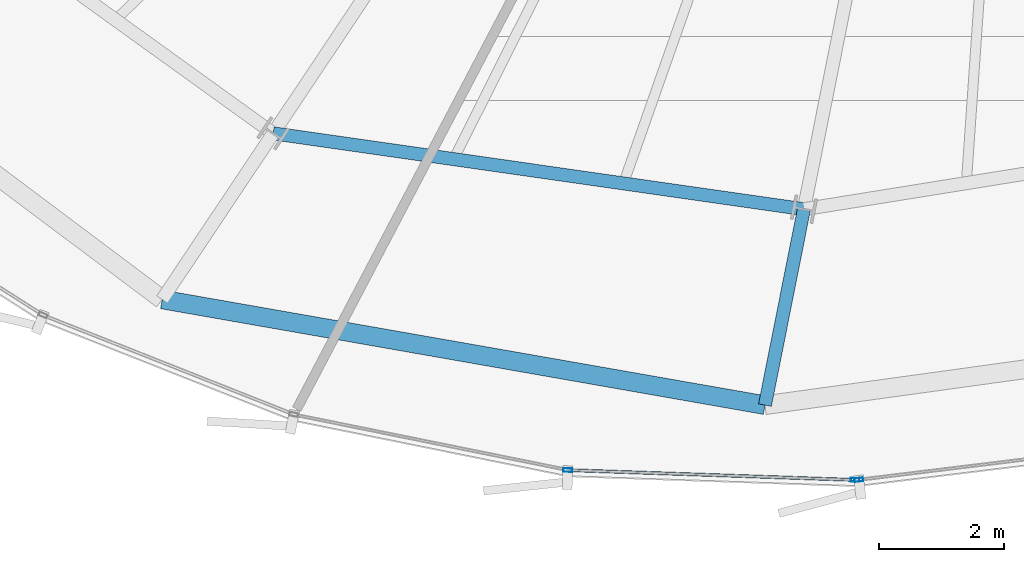
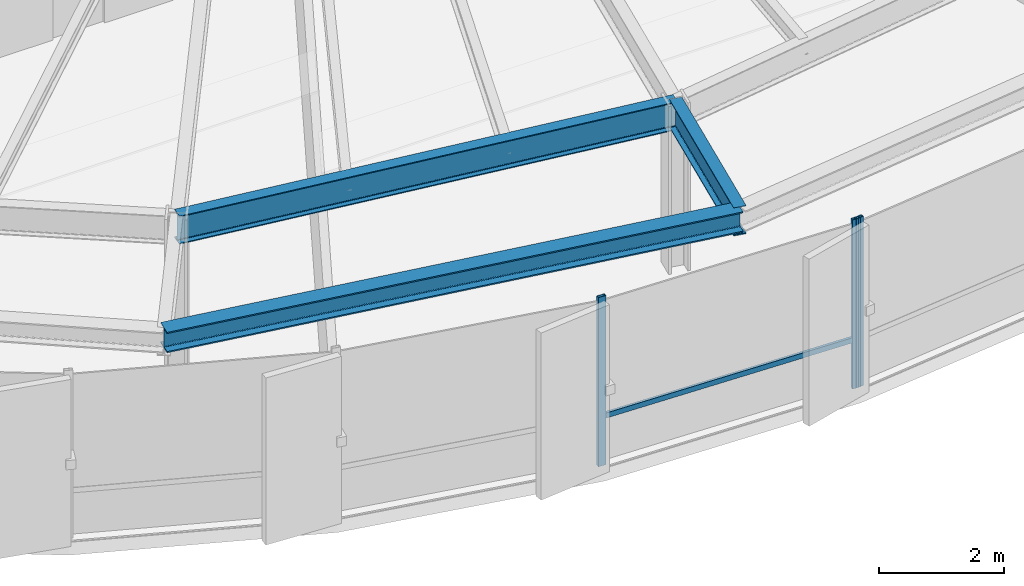
# One storey, part 5 of 35: 4 members, 3 beams, 2 elements without a shape of their own.
"""IFC4 building model written with IfcOpenShell, lengths in metres."""

from ifc_helpers import new_model, si_unit, direction, frame, origin, origin_2d, place, context, subcontext, project, spatial, hollow_rectangle, i_section, extrude, source, transform, mapped, material, layer, layer_set, material_profile, profile_set, type_object, element, aggregate, save


model = new_model("IFC4")

# Units and contexts
model_context = context("Model", 3, precision=1e-05, world=origin(), true_north=direction((0.0, 1.0)))
body_context = subcontext(model_context, "Body", "Model", "MODEL_VIEW")
ifc_project = project(units=[si_unit("LENGTHUNIT", "METRE"), si_unit("AREAUNIT", "SQUARE_METRE"), si_unit("VOLUMEUNIT", "CUBIC_METRE"), si_unit("PLANEANGLEUNIT", "RADIAN"), si_unit("MASSUNIT", "GRAM", prefix="KILO"), si_unit("THERMODYNAMICTEMPERATUREUNIT", "KELVIN")], contexts=[model_context])

# Site, building, storey
site_placement = place(None, origin())
site = spatial("IfcSite", under=ifc_project, at=site_placement, CompositionType="ELEMENT")
building_placement = place(site_placement, origin())
building = spatial("IfcBuilding", under=site, at=building_placement, Name="Kethvar Cultural Tower", CompositionType="ELEMENT")
storey_placement = place(building_placement, frame((0.0, 0.0, 146.550048828125)))
storey = spatial("IfcBuildingStorey", under=building, at=storey_placement, Name="L37", CompositionType="ELEMENT", Elevation=146.550048828125)

# Beams
ifc_material_1 = material(Name="Steel S355J2", Category="steel")
ifc_material_profile_1 = material_profile(ifc_material_1, i_section(OverallWidth=0.2099609375, OverallDepth=0.550048828125, WebThickness=0.010986328125, FlangeThickness=0.01708984375, FilletRadius=0.02392578125, at=origin_2d()), Name="Steel S355J2 — IPE550")
ifc_profile_set_1 = profile_set([ifc_material_profile_1], Name="Steel S355J2 — IPE550")
beam_type_1 = type_object("IfcBeamType", Name="BM-IPE550", PredefinedType="BEAM", material=ifc_profile_set_1)
shared_shape_1 = source(origin(), body_context, "Body", "SweptSolid", [
    extrude(i_section(OverallWidth=0.2099609375, OverallDepth=0.550048828125, WebThickness=0.010986328125, FlangeThickness=0.01708984375, FilletRadius=0.02392578125, at=origin_2d()), origin(), (0.0, 0.0, 1.0), 3.2001953125),
])
beam_1_placement = place(storey_placement, frame((42.852294921875, 7.95361328125, 3.02294921875), z_axis=(-0.195074368086, -0.980788453702, 0.0), x_axis=(0.980788453702, -0.195074368086, 0.0)))
element("IfcBeam", 1, at=beam_1_placement, inside=storey, type_object=beam_type_1, Name="L37 Perimeter Cantilever Beam RC-12", PredefinedType="BEAM", context=body_context, shape_type="MappedRepresentation", body=[
    mapped(shared_shape_1, transform((0.0, 0.0, 0.0), scale=1.0)),
])
shared_shape_2 = source(origin(), body_context, "Body", "SweptSolid", [
    extrude(i_section(OverallWidth=0.2099609375, OverallDepth=0.550048828125, WebThickness=0.010986328125, FlangeThickness=0.01708984375, FilletRadius=0.02392578125, at=origin_2d()), origin(), (0.0, 0.0, 1.0), 8.587890625),
])
beam_2_placement = place(storey_placement, frame((34.350830078125, 9.16845703125, 3.02294921875), z_axis=(0.989943807123, -0.141461156288, 0.0), x_axis=(0.141461156288, 0.989943807123, 0.0)))
element("IfcBeam", 2, at=beam_2_placement, inside=storey, type_object=beam_type_1, Name="L37 Column Ring Tie Beam CR-11", PredefinedType="BEAM", context=body_context, shape_type="MappedRepresentation", body=[
    mapped(shared_shape_2, transform((0.0, 0.0, 0.0), scale=1.0)),
])
ifc_material_profile_2 = material_profile(ifc_material_1, i_section(OverallWidth=0.300048828125, OverallDepth=0.39990234375, WebThickness=0.013427734375, FlangeThickness=0.02392578125, FilletRadius=0.027099609375, at=origin_2d()), Name="Steel S355J2 — HEB400")
ifc_profile_set_2 = profile_set([ifc_material_profile_2], Name="Steel S355J2 — HEB400")
beam_type_2 = type_object("IfcBeamType", Name="BM-SP400", PredefinedType="SPANDREL", material=ifc_profile_set_2)
shared_shape_3 = source(origin(), body_context, "Body", "SweptSolid", [
    extrude(i_section(OverallWidth=0.300048828125, OverallDepth=0.39990234375, WebThickness=0.013427734375, FlangeThickness=0.02392578125, FilletRadius=0.027099609375, at=origin_2d()), origin(), (0.0, 0.0, 1.0), 9.80224609375),
])
beam_3_placement = place(storey_placement, frame((32.572998046875, 6.5078125, 3.097900390625), z_axis=(0.984974273513, -0.172701130618, 0.0), x_axis=(0.172701130618, 0.984974273513, 0.0)))
element("IfcBeam", 3, at=beam_3_placement, inside=storey, type_object=beam_type_2, Name="L37 Perimeter Spandrel Beam SP-11", PredefinedType="SPANDREL", context=body_context, shape_type="MappedRepresentation", body=[
    mapped(shared_shape_3, transform((0.0, 0.0, 0.0), scale=1.0)),
])

# Curtain wall, members
ifc_material_2 = material(Name="Aluminium 6063-T6", Category="aluminium")
ifc_layer = layer(ifc_material_2, 0.179931640625, Name="Aluminium 6063-T6", Category="aluminium")
ifc_layer_set = layer_set([ifc_layer], Name="Aluminium 6063-T6 (180 mm)")
curtain_wall_type = type_object("IfcCurtainWallType", Name="CW-SYS-04-Z34", PredefinedType="NOTDEFINED", material=ifc_layer_set)
curtain_wall_1_placement = place(storey_placement, origin())
curtain_wall_1 = element("IfcCurtainWall", 4, at=curtain_wall_1_placement, inside=storey, type_object=curtain_wall_type, Name="L37 Curtain Wall Run 04", PredefinedType="NOTDEFINED")
ifc_material_profile_3 = material_profile(ifc_material_2, hollow_rectangle(XDim=0.06005859375, YDim=0.139892578125, WallThickness=0.0048828125, at=origin_2d()), Name="Aluminium 6063-T6 — RHS140x60x5")
ifc_profile_set_3 = profile_set([ifc_material_profile_3], Name="Aluminium 6063-T6 — RHS140x60x5")
member_type_1 = type_object("IfcMemberType", Name="CW-SYS-04-Z34-MUL", PredefinedType="MULLION", material=ifc_profile_set_3)
shared_shape_4 = source(origin(), body_context, "Body", "SweptSolid", [
    extrude(hollow_rectangle(XDim=0.06005859375, YDim=0.139892578125, WallThickness=0.0048828125, at=origin_2d()), origin(), (0.0, 0.0, 1.0), 3.300048828125),
])
member_1_placement = place(storey_placement, frame((39.06982421875, 3.7744140625, 0.0), z_axis=(0.0, 0.0, 1.0), x_axis=(0.034132009428, 0.999417333216, 0.0)))
member_1 = element("IfcMember", 5, at=member_1_placement, type_object=member_type_1, Name="CW-L37-R04 Mullion 6", PredefinedType="MULLION", context=body_context, shape_type="MappedRepresentation", body=[
    mapped(shared_shape_4, transform((0.0, 0.0, 0.0), scale=1.0)),
])
member_2_placement = place(storey_placement, frame((43.67138671875, 3.6171875, 0.0), z_axis=(0.0, 0.0, 1.0), x_axis=(0.034132009428, 0.999417333216, 0.0)))
member_2 = element("IfcMember", 6, at=member_2_placement, type_object=member_type_1, Name="CW-L37-R04 Mullion 7", PredefinedType="MULLION", context=body_context, shape_type="MappedRepresentation", body=[
    mapped(shared_shape_4, transform((0.0, 0.0, 0.0), scale=1.0)),
])

# Curtain wall, member
curtain_wall_2_placement = place(storey_placement, origin())
curtain_wall_2 = element("IfcCurtainWall", 7, at=curtain_wall_2_placement, inside=storey, type_object=curtain_wall_type, Name="L37 Curtain Wall Run 05", PredefinedType="NOTDEFINED")
member_3_placement = place(storey_placement, frame((43.73193359375, 3.619873046875, 0.0), z_axis=(0.0, 0.0, 1.0), x_axis=(-0.121505548063, 0.99259075242, 0.0)))
member_3 = element("IfcMember", 8, at=member_3_placement, type_object=member_type_1, Name="CW-L37-R05 Mullion 1", PredefinedType="MULLION", context=body_context, shape_type="MappedRepresentation", body=[
    mapped(shared_shape_4, transform((0.0, 0.0, 0.0), scale=1.0)),
])
aggregate(curtain_wall_2, [member_3])

# Member
ifc_material_profile_4 = material_profile(ifc_material_2, hollow_rectangle(XDim=0.050048828125, YDim=0.10009765625, WallThickness=0.00390625, at=origin_2d()), Name="Aluminium 6063-T6 — RHS100x50x4")
ifc_profile_set_4 = profile_set([ifc_material_profile_4], Name="Aluminium 6063-T6 — RHS100x50x4")
member_type_2 = type_object("IfcMemberType", Name="CW-SYS-04-Z34-TRN", PredefinedType="USERDEFINED", material=ifc_profile_set_4)
shared_shape_5 = source(origin(), body_context, "Body", "SweptSolid", [
    extrude(hollow_rectangle(XDim=0.050048828125, YDim=0.10009765625, WallThickness=0.00390625, at=origin_2d()), origin(), (0.0, 0.0, 1.0), 4.55712890625),
])
member_4_placement = place(storey_placement, frame((39.11279296875, 3.77294921875, 0.949951171875), z_axis=(0.999415694352, -0.034179963173, 0.0), x_axis=(0.034179963173, 0.999415694352, 0.0)))
member_4 = element("IfcMember", 9, at=member_4_placement, type_object=member_type_2, Name="CW-L37-R04 Transom 6", ObjectType="TRANSOM", PredefinedType="USERDEFINED", context=body_context, shape_type="MappedRepresentation", body=[
    mapped(shared_shape_5, transform((0.0, 0.0, 0.0), scale=1.0)),
])

aggregate(curtain_wall_1, [member_1, member_2, member_4])

save(model, "model.ifc")
